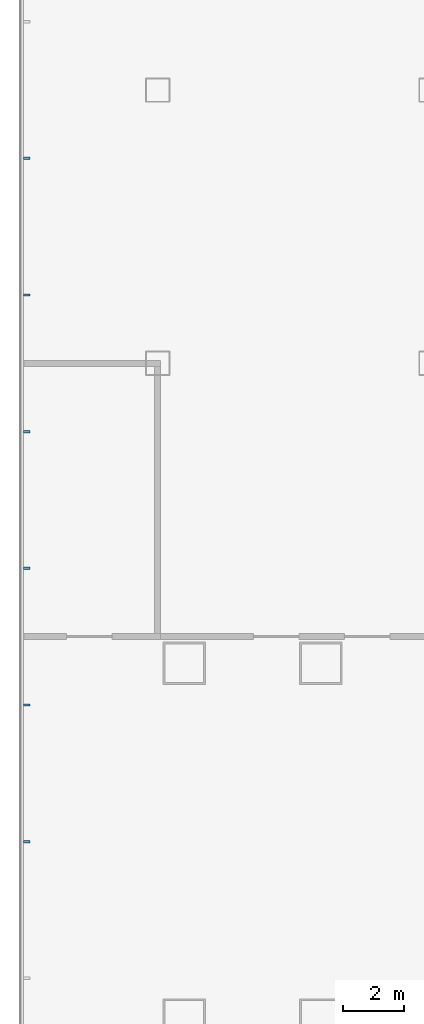
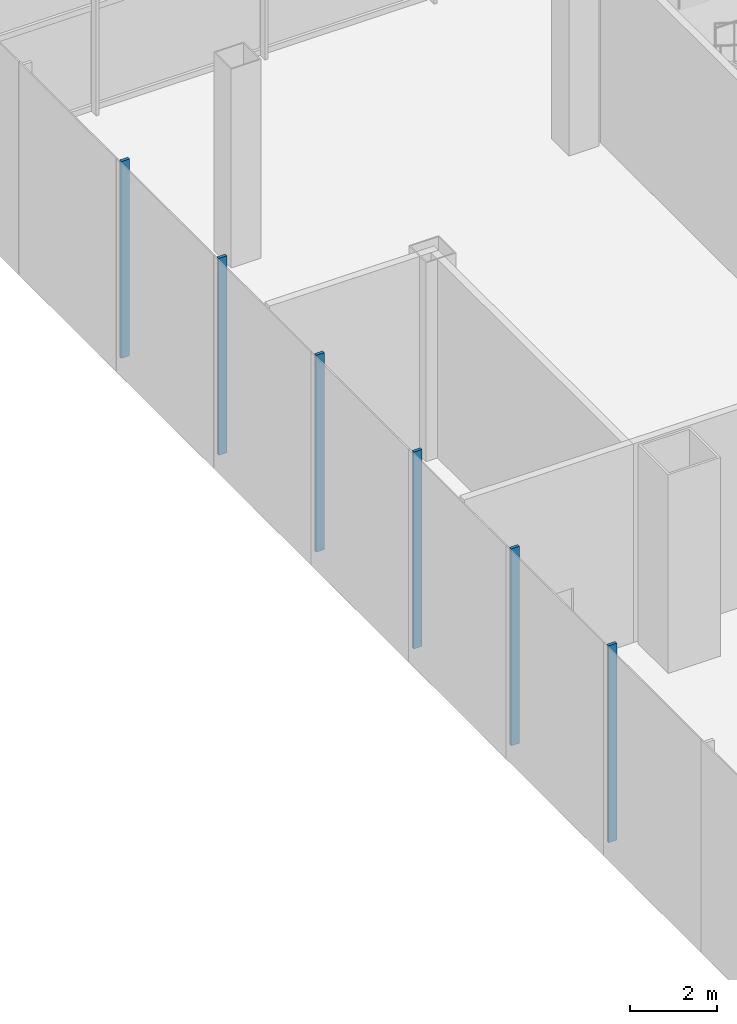
# One storey, part 7 of 38: 6 members, 1 element without a shape of its own.
"""IFC4 building model written with IfcOpenShell, lengths in metres."""

import ifcopenshell
import ifcopenshell.guid

model = None  # the IFC model being written
_history = None  # IfcOwnerHistory: only IFC2X3 demands one
_inside = {}  # id of a spatial element -> (the spatial element, [elements in it])
_under = {}  # id of a project, library or spatial element -> (it, [spatial elements below it])
_declared = {}  # id of a project -> (the project, [libraries it declares])
_typed = {}  # id of a type object -> (the type object, [elements of that type])
_made_of = {}  # id of a material, layer set ... -> (it, [elements and type objects made of it])


def new_model(schema):
    """Start an empty IFC model of exactly this schema.

    Asked for "IFC4X3", IfcOpenShell would pick the latest addendum, in which some entities
    have other attributes; the version numbers below select the first issue.
    IFC2X3 requires an IfcOwnerHistory on every rooted entity: one is made here for all.
    """
    global model, _history
    if schema == "IFC4X3":
        model = ifcopenshell.file(schema_version=(4, 3, 0, 0))
    else:
        model = ifcopenshell.file(schema=schema)
    _inside.clear()
    _under.clear()
    _declared.clear()
    _typed.clear()
    _made_of.clear()
    _history = None
    if model.schema == "IFC2X3":
        org = make("IfcOrganization", Name="unknown")
        user = make(
            "IfcPersonAndOrganization",
            ThePerson=make("IfcPerson", FamilyName="unknown"),
            TheOrganization=org,
        )
        app = make(
            "IfcApplication",
            ApplicationDeveloper=org,
            Version="unknown",
            ApplicationFullName="unknown",
            ApplicationIdentifier="unknown",
        )
        _history = make(
            "IfcOwnerHistory",
            OwningUser=user,
            OwningApplication=app,
            ChangeAction="ADDED",
            CreationDate=0,
        )
    return model


def make(cls, **values):
    """One entity of the class cls with the attributes given. An attribute that is None is left unset."""
    return model.create_entity(
        cls, **{name: value for name, value in values.items() if value is not None}
    )


def rooted(cls, **values):
    """An entity with a GlobalId (a new one), such as an element, a storey or a relation."""
    return make(cls, GlobalId=ifcopenshell.guid.new(), OwnerHistory=_history, **values)


def si_unit(unit_type, name, prefix=None):
    """IfcSIUnit, for example si_unit("LENGTHUNIT", "METRE", prefix="MILLI")."""
    return make("IfcSIUnit", UnitType=unit_type, Prefix=prefix, Name=name)


def assignment(units):
    """IfcUnitAssignment: the units of a project."""
    return None if units is None else make("IfcUnitAssignment", Units=units)


def point(xyz):
    """IfcCartesianPoint."""
    return None if xyz is None else make("IfcCartesianPoint", Coordinates=xyz)


def direction(xyz):
    """IfcDirection."""
    return None if xyz is None else make("IfcDirection", DirectionRatios=xyz)


def frame(location, z_axis=None, x_axis=None):
    """IfcAxis2Placement3D, a coordinate frame: its origin and axes. An axis left out is left unset."""
    return make(
        "IfcAxis2Placement3D",
        Location=point(location),
        Axis=direction(z_axis),
        RefDirection=direction(x_axis),
    )


def frame_2d(location, x_axis=None):
    """IfcAxis2Placement2D, a coordinate frame in the plane: its origin and x axis."""
    return make(
        "IfcAxis2Placement2D", Location=point(location), RefDirection=direction(x_axis)
    )


def origin():
    """The frame at (0, 0, 0) with its axes left unset."""
    return frame((0.0, 0.0, 0.0))


def origin_2d():
    """The frame at (0, 0) in the plane with its x axis left unset."""
    return frame_2d((0.0, 0.0))


def place(relative_to, where):
    """IfcLocalPlacement: puts the frame where relative to a parent placement (None: the world)."""
    return make(
        "IfcLocalPlacement", PlacementRelTo=relative_to, RelativePlacement=where
    )


def context(
    kind, dimensions, precision=None, world=None, true_north=None, identifier=None
):
    """IfcGeometricRepresentationContext, for example the 3D "Model" context."""
    return make(
        "IfcGeometricRepresentationContext",
        ContextIdentifier=identifier,
        ContextType=kind,
        CoordinateSpaceDimension=dimensions,
        Precision=precision,
        WorldCoordinateSystem=world,
        TrueNorth=true_north,
    )


def subcontext(parent, identifier, kind, view, scale=None):
    """IfcGeometricRepresentationSubContext, for example "Body" below "Model"."""
    return make(
        "IfcGeometricRepresentationSubContext",
        ContextIdentifier=identifier,
        ContextType=kind,
        ParentContext=parent,
        TargetScale=scale,
        TargetView=view,
    )


def project(units=None, contexts=None):
    """IfcProject with its units and contexts."""
    return rooted(
        "IfcProject",
        Name="project",
        RepresentationContexts=contexts,
        UnitsInContext=assignment(units),
    )


def spatial(cls, under=None, at=None, **own):
    """A site, building, storey or space (cls), placed at a placement, below another one or the project."""
    s = rooted(cls, ObjectPlacement=at, **own)
    if under is not None:
        _under.setdefault(under.id(), (under, []))[1].append(s)
    return s


def profile(cls, at=None, kind="AREA", **sizes):
    """A parametric profile (cls). Its sizes go by their IFC names, for example OverallWidth=200.0."""
    return make(cls, ProfileType=kind, Position=at, **sizes)


def rectangle(**sizes):
    """IfcRectangleProfileDef."""
    return profile("IfcRectangleProfileDef", **sizes)


def extrude(swept, where, along, depth):
    """IfcExtrudedAreaSolid: the profile swept, set in the frame where, extruded along a direction by depth."""
    return make(
        "IfcExtrudedAreaSolid",
        SweptArea=swept,
        Position=where,
        ExtrudedDirection=direction(along),
        Depth=depth,
    )


def shape(context_of_items, identifier, shape_type, items):
    """IfcShapeRepresentation: the items that make up one representation, for example the "Body"."""
    return make(
        "IfcShapeRepresentation",
        ContextOfItems=context_of_items,
        RepresentationIdentifier=identifier,
        RepresentationType=shape_type,
        Items=items,
    )


def material(Name=None, Category=None):
    """IfcMaterial."""
    return make("IfcMaterial", Name=Name, Category=Category)


def layer(
    of_material, thickness, ventilated=None, Name=None, Category=None, Priority=None
):
    """IfcMaterialLayer: one layer of a wall or slab, of a material (None: an air gap)."""
    return make(
        "IfcMaterialLayer",
        Material=of_material,
        LayerThickness=thickness,
        IsVentilated=ventilated,
        Name=Name,
        Category=Category,
        Priority=Priority,
    )


def layer_set(layers, Name=None):
    """IfcMaterialLayerSet."""
    return make("IfcMaterialLayerSet", MaterialLayers=layers, LayerSetName=Name)


def material_profile(
    of_material, cross_section, Name=None, Category=None, Priority=None
):
    """IfcMaterialProfile: a cross section and its material."""
    return make(
        "IfcMaterialProfile",
        Name=Name,
        Material=of_material,
        Profile=cross_section,
        Priority=Priority,
        Category=Category,
    )


def profile_set(profiles, Name=None, composite=None):
    """IfcMaterialProfileSet."""
    return make(
        "IfcMaterialProfileSet",
        Name=Name,
        MaterialProfiles=profiles,
        CompositeProfile=composite,
    )


def made_of(thing, what):
    """Note that an element or type object is made of a material, layer set ...; save() writes the relation."""
    if what is not None:
        _made_of.setdefault(what.id(), (what, []))[1].append(thing)
    return thing


def type_object(cls, material=None, **own):
    """A type object (cls), such as IfcWallType, which elements share."""
    return made_of(rooted(cls, **own), material)


def element(
    cls,
    number,
    at=None,
    inside=None,
    cuts=None,
    type_object=None,
    material=None,
    context=None,
    identifier="Body",
    shape_type=None,
    held_by="IfcProductDefinitionShape",
    body=None,
    shapes=None,
    **own,
):
    """One element of the class cls, such as IfcWall. Its Tag is "e" and its number.

    at: its placement. inside: the storey or other place that contains it. cuts: it is an
    opening in that element (IfcRelVoidsElement). A single representation is given by context,
    identifier, shape_type and body (its items); several are given by shapes. held_by: the class
    of the entity that holds the representations. save() writes the other relations.
    """
    e = rooted(cls, Tag="e%d" % number, ObjectPlacement=at, **own)
    if body is not None:
        shapes = [shape(context, identifier, shape_type, body)]
    if shapes is not None:
        e.Representation = make(held_by, Representations=shapes)
    if inside is not None:
        _inside.setdefault(inside.id(), (inside, []))[1].append(e)
    if cuts is not None:
        rooted(
            "IfcRelVoidsElement", RelatingBuildingElement=cuts, RelatedOpeningElement=e
        )
    if type_object is not None:
        _typed.setdefault(type_object.id(), (type_object, []))[1].append(e)
    return made_of(e, material)


def aggregate(whole, parts):
    """IfcRelAggregates: a whole, such as a stair, and the parts it consists of."""
    return rooted("IfcRelAggregates", RelatingObject=whole, RelatedObjects=parts)


def save(model, path):
    """Write the relations noted so far, then the file.

    IfcRelAggregates (storeys below a building ...), IfcRelContainedInSpatialStructure (elements
    in a storey), IfcRelDefinesByType, IfcRelAssociatesMaterial and IfcRelDeclares: one each for
    every whole, place, type object, material and project.
    """
    for whole, parts in _under.values():
        aggregate(whole, parts)
    for where, things in _inside.values():
        rooted(
            "IfcRelContainedInSpatialStructure",
            RelatedElements=things,
            RelatingStructure=where,
        )
    for kind, things in _typed.values():
        rooted("IfcRelDefinesByType", RelatedObjects=things, RelatingType=kind)
    for what, things in _made_of.values():
        rooted("IfcRelAssociatesMaterial", RelatedObjects=things, RelatingMaterial=what)
    for by, libraries in _declared.values():
        rooted("IfcRelDeclares", RelatingContext=by, RelatedDefinitions=libraries)
    model.write(path)


model = new_model("IFC4")

# Units and contexts
model_context = context("Model", 3, precision=1e-05, world=origin(), true_north=direction((0.0, 1.0)))
body_context = subcontext(model_context, "Body", "Model", "MODEL_VIEW")
ifc_project = project(units=[si_unit("LENGTHUNIT", "METRE"), si_unit("AREAUNIT", "SQUARE_METRE"), si_unit("VOLUMEUNIT", "CUBIC_METRE"), si_unit("PLANEANGLEUNIT", "RADIAN"), si_unit("MASSUNIT", "GRAM", prefix="KILO")], contexts=[model_context])

# Site, building, storey
site_placement = place(None, origin())
site = spatial("IfcSite", under=ifc_project, at=site_placement, CompositionType="ELEMENT")
building_placement = place(site_placement, origin())
building = spatial("IfcBuilding", under=site, at=building_placement, Name="Shamsa Quay Exchange Towers", CompositionType="ELEMENT")
storey_placement = place(building_placement, frame((0.0, 0.0, 12.5)))
storey = spatial("IfcBuildingStorey", under=building, at=storey_placement, Name="L02", CompositionType="ELEMENT", Elevation=12.5)

# Curtain wall, members
ifc_material = material(Name="Aluminium EN AW-6063 T6, black anodised", Category="aluminium")
ifc_layer = layer(ifc_material, 0.33203125)
ifc_layer_set = layer_set([ifc_layer], Name="CW-3 PODIUM SHOPFRONT GLAZING")
curtain_wall_type = type_object("IfcCurtainWallType", Name="CW-3 PODIUM SHOPFRONT GLAZING", PredefinedType="NOTDEFINED", material=ifc_layer_set)
curtain_wall_placement = place(storey_placement, origin())
curtain_wall = element("IfcCurtainWall", 1, at=curtain_wall_placement, inside=storey, type_object=curtain_wall_type, Name="CW3 PODIUM-L02-F02", PredefinedType="NOTDEFINED")
ifc_material_profile = material_profile(ifc_material, rectangle(XDim=0.219970703125, YDim=0.080078125, at=origin_2d()), Name="MU80x220")
ifc_profile_set = profile_set([ifc_material_profile], Name="Aluminium EN AW-6063 T6, black anodised")
member_type = type_object("IfcMemberType", Name="CW3 MULLION 80x220", PredefinedType="MULLION", material=ifc_profile_set)
member_1_placement = place(storey_placement, frame((-67.31005859375, 22.5, 0.0)))
member_1 = element("IfcMember", 2, at=member_1_placement, type_object=member_type, Name="CW3 mullion", PredefinedType="MULLION", context=body_context, shape_type="SweptSolid", body=[
    extrude(rectangle(XDim=0.219970703125, YDim=0.080078125, at=origin_2d()), origin(), (0.0, 0.0, 1.0), 5.550048828125),
])
member_2_placement = place(storey_placement, frame((-67.31005859375, 18.0, 0.0)))
member_2 = element("IfcMember", 3, at=member_2_placement, type_object=member_type, Name="CW3 mullion", PredefinedType="MULLION", context=body_context, shape_type="SweptSolid", body=[
    extrude(rectangle(XDim=0.219970703125, YDim=0.080078125, at=origin_2d()), origin(), (0.0, 0.0, 1.0), 5.550048828125),
])
member_3_placement = place(storey_placement, frame((-67.31005859375, 13.5, 0.0)))
member_3 = element("IfcMember", 4, at=member_3_placement, type_object=member_type, Name="CW3 mullion", PredefinedType="MULLION", context=body_context, shape_type="SweptSolid", body=[
    extrude(rectangle(XDim=0.219970703125, YDim=0.080078125, at=origin_2d()), origin(), (0.0, 0.0, 1.0), 5.550048828125),
])
member_4_placement = place(storey_placement, frame((-67.31005859375, 9.0, 0.0)))
member_4 = element("IfcMember", 5, at=member_4_placement, type_object=member_type, Name="CW3 mullion", PredefinedType="MULLION", context=body_context, shape_type="SweptSolid", body=[
    extrude(rectangle(XDim=0.219970703125, YDim=0.080078125, at=origin_2d()), origin(), (0.0, 0.0, 1.0), 5.550048828125),
])
member_5_placement = place(storey_placement, frame((-67.31005859375, 4.5, 0.0)))
member_5 = element("IfcMember", 6, at=member_5_placement, type_object=member_type, Name="CW3 mullion", PredefinedType="MULLION", context=body_context, shape_type="SweptSolid", body=[
    extrude(rectangle(XDim=0.219970703125, YDim=0.080078125, at=origin_2d()), origin(), (0.0, 0.0, 1.0), 5.550048828125),
])
member_6_placement = place(storey_placement, frame((-67.31005859375, 0.0, 0.0)))
member_6 = element("IfcMember", 7, at=member_6_placement, type_object=member_type, Name="CW3 mullion", PredefinedType="MULLION", context=body_context, shape_type="SweptSolid", body=[
    extrude(rectangle(XDim=0.219970703125, YDim=0.080078125, at=origin_2d()), origin(), (0.0, 0.0, 1.0), 5.550048828125),
])
aggregate(curtain_wall, [member_1, member_2, member_3, member_4, member_5, member_6])

save(model, "model.ifc")
